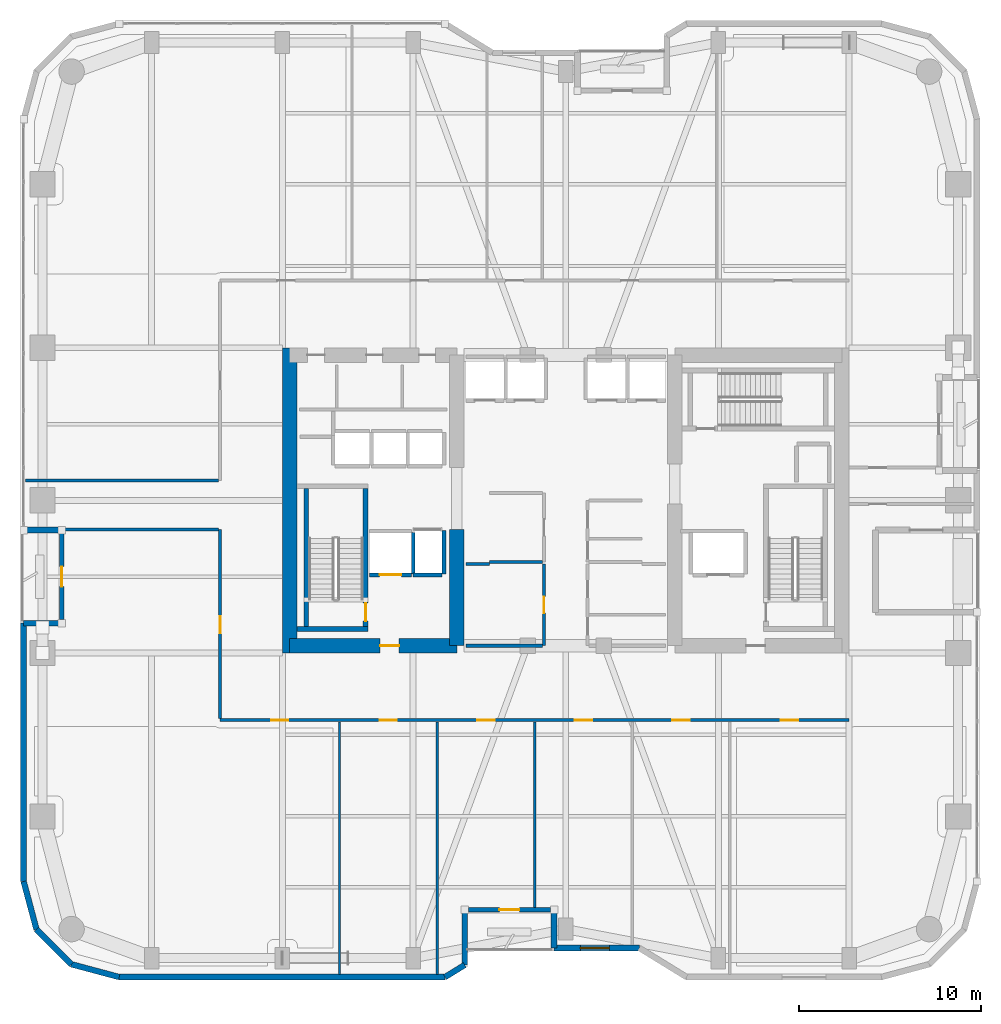
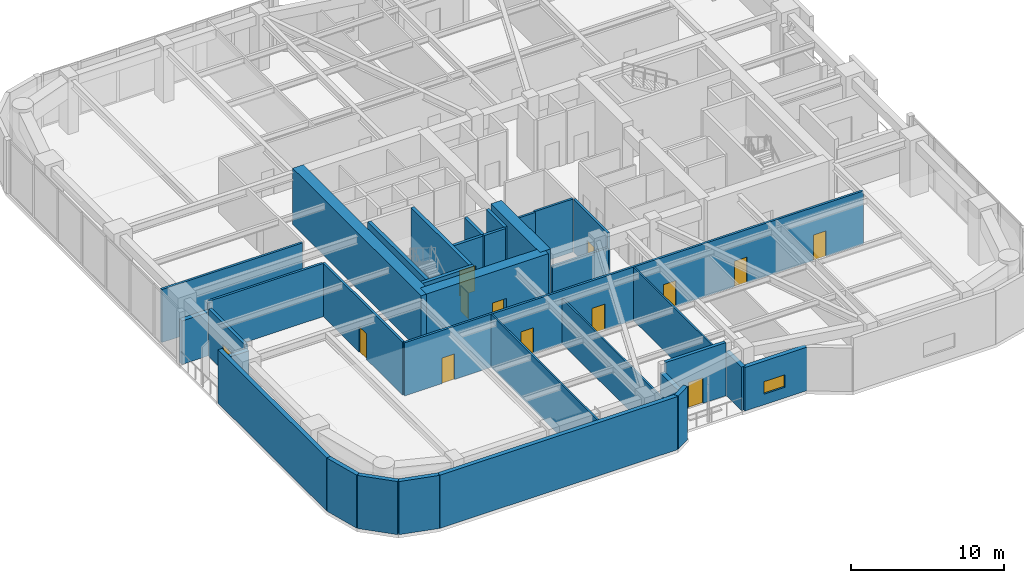
# One storey, part 14 of 20: 34 walls, 13 doors, 1 window, 14 openings.
"""IFC4 building model written with IfcOpenShell, lengths in metres."""

from ifc_helpers import new_model, si_unit, direction, frame, frame_2d, origin, place, context, subcontext, project, spatial, rectangle, extrude, material, layer, layer_set, type_object, element, fill, save


model = new_model("IFC4")

# Units and contexts
model_context = context("Model", 3, precision=1e-05, world=origin(), true_north=direction((0.0, 1.0)))
body_context = subcontext(model_context, "Body", "Model", "MODEL_VIEW")
ifc_project = project(units=[si_unit("LENGTHUNIT", "METRE"), si_unit("AREAUNIT", "SQUARE_METRE"), si_unit("VOLUMEUNIT", "CUBIC_METRE"), si_unit("PLANEANGLEUNIT", "RADIAN"), si_unit("MASSUNIT", "GRAM", prefix="KILO")], contexts=[model_context])

# Site, building, storey
site_placement = place(None, origin())
site = spatial("IfcSite", under=ifc_project, at=site_placement, CompositionType="ELEMENT")
building_placement = place(site_placement, origin())
building = spatial("IfcBuilding", under=site, at=building_placement, Name="Kiyonajd Concourse Tower", CompositionType="ELEMENT")
storey_placement = place(building_placement, frame((0.0, 0.0, 125.39990234375)))
storey = spatial("IfcBuildingStorey", under=building, at=storey_placement, Name="L32", CompositionType="ELEMENT", Elevation=125.39990234375)

# Walls
ifc_material_1 = material(Name="Concrete C70/85", Category="concrete")
ifc_layer_1 = layer(ifc_material_1, 0.800048828125)
ifc_layer_set_1 = layer_set([ifc_layer_1], Name="Concrete C70/85")
wall_type_1 = type_object("IfcWallType", Name="WL-CORE-800", PredefinedType="SHEAR", material=ifc_layer_set_1)
wall_1_placement = place(storey_placement, frame((32.800048828125, 27.60009765625, 0.0), z_axis=(0.0, 0.0, 1.0), x_axis=(0.0, 1.0, 0.0)))
element("IfcWall", 1, at=wall_1_placement, inside=storey, type_object=wall_type_1, Name="L32 West Core Outer Shear Wall", PredefinedType="SHEAR", context=body_context, shape_type="SweptSolid", body=[
    extrude(rectangle(XDim=16.7998046875, YDim=0.800048828125, at=frame_2d((8.39990234375, 0.0))), origin(), (0.0, 0.0, 1.0), 4.5),
])
wall_2_placement = place(storey_placement, frame((42.0, 28.0, 0.0), z_axis=(0.0, 0.0, 1.0), x_axis=(0.0, 1.0, 0.0)))
element("IfcWall", 2, at=wall_2_placement, inside=storey, type_object=wall_type_1, Name="L32 West Core Inner South Shear Wall", PredefinedType="SHEAR", context=body_context, shape_type="SweptSolid", body=[
    extrude(rectangle(XDim=6.39990234375, YDim=0.800048828125, at=frame_2d((3.199951171875, 0.0))), origin(), (0.0, 0.0, 1.0), 4.5),
])

# Wall, opening, door
wall_3_placement = place(storey_placement, frame((32.800048828125, 28.0, 0.0), z_axis=(0.0, 0.0, 1.0), x_axis=(1.0, 0.0, 0.0)))
wall_3 = element("IfcWall", 3, at=wall_3_placement, inside=storey, type_object=wall_type_1, Name="L32 West Core South Shear Wall", PredefinedType="SHEAR", context=body_context, shape_type="SweptSolid", body=[
    extrude(rectangle(XDim=9.199951171875, YDim=0.800048828125, at=frame_2d((4.60009765625, 0.0))), origin(), (0.0, 0.0, 1.0), 4.5),
])
opening_1_placement = place(wall_3_placement, frame((4.97509765625, 0.0, 0.0)))
opening_1 = element("IfcOpeningElement", 4, at=opening_1_placement, cuts=wall_3, Name="Opening DF5", PredefinedType="OPENING", context=body_context, shape_type="SweptSolid", body=[
    extrude(rectangle(XDim=1.050048828125, YDim=2.0400390625, at=frame_2d((0.52490234375, 1.02001953125))), frame((0.0, 0.409912109375, 0.0), z_axis=(0.0, -1.0, 0.0), x_axis=(1.0, 0.0, 0.0)), (0.0, 0.0, 1.0), 0.820068359375),
])
ifc_material_2 = material(Name="Brushed Stainless Steel Cab Assembly", Category="steel")
door_type_1 = type_object("IfcDoorType", Name="DR-FD45-1050", OperationType="NOTDEFINED", PredefinedType="DOOR", material=ifc_material_2)
door_1_placement = place(opening_1_placement, origin())
door_1 = element("IfcDoor", 5, at=door_1_placement, inside=storey, type_object=door_type_1, Name="L32 Firefighting Lift Lobby W Smoke Door", OperationType="SINGLE_SWING_LEFT", OverallHeight=2.0400390625, OverallWidth=1.050048828125, PredefinedType="DOOR", context=body_context, shape_type="SweptSolid", body=[
    extrude(rectangle(XDim=1.050048828125, YDim=2.0400390625, at=frame_2d((0.52490234375, 1.02001953125))), frame((0.0, 0.02490234375, 0.0), z_axis=(0.0, -1.0, 0.0), x_axis=(1.0, 0.0, 0.0)), (0.0, 0.0, 1.0), 0.050048828125),
])
fill(opening_1, door_1)

# Walls
ifc_material_3 = material(Name="Precast concrete C50/60", Category="concrete")
ifc_layer_2 = layer(ifc_material_3, 0.320068359375)
ifc_layer_set_2 = layer_set([ifc_layer_2], Name="Precast concrete C50/60")
wall_type_2 = type_object("IfcWallType", Name="WL-EXT-320", PredefinedType="SOLIDWALL", material=ifc_layer_set_2)
wall_4_placement = place(storey_placement, frame((18.159912109375, 15.02099609375, 0.0), z_axis=(0.0, 0.0, 1.0), x_axis=(0.0, 1.0, 0.0)))
element("IfcWall", 6, at=wall_4_placement, inside=storey, type_object=wall_type_2, Name="L32 Exterior Concrete Frame Wall 00", PredefinedType="SOLIDWALL", context=body_context, shape_type="SweptSolid", body=[
    extrude(rectangle(XDim=14.218994140625, YDim=0.320068359375, at=frame_2d((7.109375, 0.0))), origin(), (0.0, 0.0, 1.0), 4.239990234375),
])
for number, where, z_axis, x_axis, name in (
    (7, (18.159912109375, 29.239990234375, 0.0), (0.0, 0.0, 1.0), (1.0, 0.0, 0.0), "L32 Exterior Concrete Frame Wall 01"),
    (8, (20.260009765625, 34.360107421875, 0.0), (0.0, 0.0, 1.0), (-1.0, 0.0, 0.0), "L32 Exterior Concrete Frame Wall 03"),
):
    element("IfcWall", number, at=place(storey_placement, frame(where, z_axis=z_axis, x_axis=x_axis)), inside=storey, type_object=wall_type_2, Name=name, PredefinedType="SOLIDWALL", context=body_context, shape_type="SweptSolid", body=[
        extrude(rectangle(XDim=2.10009765625, YDim=0.320068359375, at=frame_2d((1.050048828125, 0.0))), origin(), (0.0, 0.0, 1.0), 3.47509765625),
    ])

# Wall, opening, window
wall_5_placement = place(storey_placement, frame((52.04541015625, 11.360107421875, 0.0), z_axis=(0.0, 0.0, 1.0), x_axis=(-1.0, 0.0, 0.0)))
wall_5 = element("IfcWall", 9, at=wall_5_placement, inside=storey, type_object=wall_type_2, Name="L32 Exterior Concrete Frame Wall 33", PredefinedType="SOLIDWALL", context=body_context, shape_type="SweptSolid", body=[
    extrude(rectangle(XDim=4.685302734375, YDim=0.320068359375, at=frame_2d((2.3427734375, 0.0))), origin(), (0.0, 0.0, 1.0), 3.47509765625),
])
opening_2_placement = place(wall_5_placement, frame((1.639892578125, 0.0, 0.85009765625)))
opening_2 = element("IfcOpeningElement", 10, at=opening_2_placement, cuts=wall_5, Name="Opening WN6", PredefinedType="OPENING", context=body_context, shape_type="SweptSolid", body=[
    extrude(rectangle(XDim=1.60009765625, YDim=1.0, at=frame_2d((0.800048828125, 0.5))), frame((0.0, 0.169921875, 0.0), z_axis=(0.0, -1.0, 0.0), x_axis=(1.0, 0.0, 0.0)), (0.0, 0.0, 1.0), 0.340087890625),
])
ifc_material_4 = material(Name="Double Low-E Insulated Glass", Category="glass")
window_type = type_object("IfcWindowType", Name="WN-VIS-1600x1000", PartitioningType="SINGLE_PANEL", PredefinedType="WINDOW", material=ifc_material_4)
window_placement = place(opening_2_placement, origin())
window = element("IfcWindow", 11, at=window_placement, inside=storey, type_object=window_type, Name="L32 Modular Facade Vision Window 33", OverallHeight=1.0, OverallWidth=1.60009765625, PartitioningType="SINGLE_PANEL", PredefinedType="WINDOW", context=body_context, shape_type="SweptSolid", body=[
    extrude(rectangle(XDim=1.60009765625, YDim=1.0, at=frame_2d((0.800048828125, 0.5))), frame((0.0, 0.030029296875, 0.0), z_axis=(0.0, -1.0, 0.0), x_axis=(1.0, 0.0, 0.0)), (0.0, 0.0, 1.0), 0.06005859375),
])
fill(opening_2, window)

# Walls
wall_6_placement = place(storey_placement, frame((47.360107421875, 11.360107421875, 0.0), z_axis=(0.0, 0.0, 1.0), x_axis=(0.0, 1.0, 0.0)))
element("IfcWall", 12, at=wall_6_placement, inside=storey, type_object=wall_type_2, Name="L32 Exterior Concrete Frame Wall 34", PredefinedType="SOLIDWALL", context=body_context, shape_type="SweptSolid", body=[
    extrude(rectangle(XDim=2.099853515625, YDim=0.320068359375, at=frame_2d((1.0498046875, 0.0))), origin(), (0.0, 0.0, 1.0), 3.47509765625),
])
wall_7_placement = place(storey_placement, frame((42.43994140625, 13.4599609375, 0.0), z_axis=(0.0, 0.0, 1.0), x_axis=(0.0, -1.0, 0.0)))
element("IfcWall", 13, at=wall_7_placement, inside=storey, type_object=wall_type_2, Name="L32 Exterior Concrete Frame Wall 36", PredefinedType="SOLIDWALL", context=body_context, shape_type="SweptSolid", body=[
    extrude(rectangle(XDim=3.032470703125, YDim=0.320068359375, at=frame_2d((1.51611328125, 0.0))), origin(), (0.0, 0.0, 1.0), 3.47509765625),
])
wall_8_placement = place(storey_placement, frame((42.43994140625, 10.427490234375, 0.0), z_axis=(0.0, 0.0, 1.0), x_axis=(-0.851776724646, -0.523904964045, 0.0)))
element("IfcWall", 14, at=wall_8_placement, inside=storey, type_object=wall_type_2, Name="L32 Exterior Concrete Frame Wall 37", PredefinedType="SOLIDWALL", context=body_context, shape_type="SweptSolid", body=[
    extrude(rectangle(XDim=1.274169921875, YDim=0.320068359375, at=frame_2d((0.63720703125, 0.0))), origin(), (0.0, 0.0, 1.0), 4.239990234375),
])
wall_9_placement = place(storey_placement, frame((41.354736328125, 9.760009765625, 0.0), z_axis=(0.0, 0.0, 1.0), x_axis=(-1.0, 0.0, 0.0)))
element("IfcWall", 15, at=wall_9_placement, inside=storey, type_object=wall_type_2, Name="L32 Exterior Concrete Frame Wall 38", PredefinedType="SOLIDWALL", context=body_context, shape_type="SweptSolid", body=[
    extrude(rectangle(XDim=17.93359375, YDim=0.320068359375, at=frame_2d((8.966796875, 0.0))), origin(), (0.0, 0.0, 1.0), 4.239990234375),
])
wall_10_placement = place(storey_placement, frame((23.421142578125, 9.760009765625, 0.0), z_axis=(0.0, 0.0, 1.0), x_axis=(-0.965964405026, 0.25867502435, 0.0)))
element("IfcWall", 16, at=wall_10_placement, inside=storey, type_object=wall_type_2, Name="L32 Exterior Concrete Frame Wall 39", PredefinedType="SOLIDWALL", context=body_context, shape_type="SweptSolid", body=[
    extrude(rectangle(XDim=2.7314453125, YDim=0.320068359375, at=frame_2d((1.36572265625, 0.0))), origin(), (0.0, 0.0, 1.0), 4.239990234375),
])
wall_11_placement = place(storey_placement, frame((20.78271484375, 10.466552734375, 0.0), z_axis=(0.0, 0.0, 1.0), x_axis=(-0.707106781187, 0.707106781187, 0.0)))
element("IfcWall", 17, at=wall_11_placement, inside=storey, type_object=wall_type_2, Name="L32 Exterior Concrete Frame Wall 40", PredefinedType="SOLIDWALL", context=body_context, shape_type="SweptSolid", body=[
    extrude(rectangle(XDim=2.7099609375, YDim=0.320068359375, at=frame_2d((1.35498046875, 0.0))), origin(), (0.0, 0.0, 1.0), 4.239990234375),
])
wall_12_placement = place(storey_placement, frame((18.866455078125, 12.3828125, 0.0), z_axis=(0.0, 0.0, 1.0), x_axis=(-0.25869736047, 0.965958423373, 0.0)))
element("IfcWall", 18, at=wall_12_placement, inside=storey, type_object=wall_type_2, Name="L32 Exterior Concrete Frame Wall 41", PredefinedType="SOLIDWALL", context=body_context, shape_type="SweptSolid", body=[
    extrude(rectangle(XDim=2.731201171875, YDim=0.320068359375, at=frame_2d((1.36572265625, 0.0))), origin(), (0.0, 0.0, 1.0), 4.239990234375),
])

# Wall, opening, door
ifc_layer_3 = layer(ifc_material_3, 0.239990234375)
ifc_layer_set_3 = layer_set([ifc_layer_3], Name="Precast concrete C50/60")
wall_type_3 = type_object("IfcWallType", Name="WL-LOG-240", PredefinedType="SOLIDWALL", material=ifc_layer_set_3)
wall_13_placement = place(storey_placement, frame((20.260009765625, 29.43505859375, 0.0), z_axis=(0.0, 0.0, 1.0), x_axis=(0.0, 1.0, 0.0)))
wall_13 = element("IfcWall", 19, at=wall_13_placement, inside=storey, type_object=wall_type_3, Name="L32 Recessed Loggia Thermal Wall LOG-W", PredefinedType="SOLIDWALL", context=body_context, shape_type="SweptSolid", body=[
    extrude(rectangle(XDim=4.72998046875, YDim=0.239990234375, at=frame_2d((2.364990234375, 0.0))), origin(), (0.0, 0.0, 1.0), 3.76220703125),
])
opening_3_placement = place(wall_13_placement, frame((1.81494140625, 0.0, 0.0)))
opening_3 = element("IfcOpeningElement", 20, at=opening_3_placement, cuts=wall_13, Name="Opening DL2", PredefinedType="OPENING", context=body_context, shape_type="SweptSolid", body=[
    extrude(rectangle(XDim=1.10009765625, YDim=2.0400390625, at=frame_2d((0.550048828125, 1.02001953125))), frame((0.0, 0.1298828125, 0.0), z_axis=(0.0, -1.0, 0.0), x_axis=(1.0, 0.0, 0.0)), (0.0, 0.0, 1.0), 0.260009765625),
])
ifc_material_5 = material(Name="Thermally Broken Anodised Aluminium", Category="aluminium")
door_type_2 = type_object("IfcDoorType", Name="DR-LOG-1100", OperationType="NOTDEFINED", PredefinedType="DOOR", material=ifc_material_5)
door_2_placement = place(opening_3_placement, origin())
door_2 = element("IfcDoor", 21, at=door_2_placement, inside=storey, type_object=door_type_2, Name="L32 Engawa Loggia Access Door LOG-W", OperationType="SINGLE_SWING_LEFT", OverallHeight=2.0400390625, OverallWidth=1.10009765625, PredefinedType="DOOR", context=body_context, shape_type="SweptSolid", body=[
    extrude(rectangle(XDim=1.10009765625, YDim=2.0400390625, at=frame_2d((0.550048828125, 1.02001953125))), frame((0.0, 0.02490234375, 0.0), z_axis=(0.0, -1.0, 0.0), x_axis=(1.0, 0.0, 0.0)), (0.0, 0.0, 1.0), 0.050048828125),
])
fill(opening_3, door_2)

wall_14_placement = place(storey_placement, frame((47.1650390625, 13.4599609375, 0.0), z_axis=(0.0, 0.0, 1.0), x_axis=(-1.0, 0.0, 0.0)))
wall_14 = element("IfcWall", 22, at=wall_14_placement, inside=storey, type_object=wall_type_3, Name="L32 Recessed Loggia Thermal Wall LOG-S", PredefinedType="SOLIDWALL", context=body_context, shape_type="SweptSolid", body=[
    extrude(rectangle(XDim=4.530029296875, YDim=0.239990234375, at=frame_2d((2.26513671875, 0.0))), origin(), (0.0, 0.0, 1.0), 4.239990234375),
])
opening_4_placement = place(wall_14_placement, frame((1.715087890625, 0.0, 0.0)))
opening_4 = element("IfcOpeningElement", 23, at=opening_4_placement, cuts=wall_14, Name="Opening DL2", PredefinedType="OPENING", context=body_context, shape_type="SweptSolid", body=[
    extrude(rectangle(XDim=1.10009765625, YDim=2.0400390625, at=frame_2d((0.550048828125, 1.02001953125))), frame((0.0, 0.1298828125, 0.0), z_axis=(0.0, -1.0, 0.0), x_axis=(1.0, 0.0, 0.0)), (0.0, 0.0, 1.0), 0.260009765625),
])
door_3_placement = place(opening_4_placement, origin())
door_3 = element("IfcDoor", 24, at=door_3_placement, inside=storey, type_object=door_type_2, Name="L32 Engawa Loggia Access Door LOG-S", OperationType="SINGLE_SWING_RIGHT", OverallHeight=2.0400390625, OverallWidth=1.10009765625, PredefinedType="DOOR", context=body_context, shape_type="SweptSolid", body=[
    extrude(rectangle(XDim=1.10009765625, YDim=2.0400390625, at=frame_2d((0.550048828125, 1.02001953125))), frame((0.0, 0.02490234375, 0.0), z_axis=(0.0, -1.0, 0.0), x_axis=(1.0, 0.0, 0.0)), (0.0, 0.0, 1.0), 0.050048828125),
])
fill(opening_4, door_3)

# Walls
ifc_material_6 = material(Name="Gypsum Board on Cold-Formed Steel Stud", Category="steel")
ifc_layer_4 = layer(ifc_material_6, 0.125)
ifc_layer_set_4 = layer_set([ifc_layer_4], Name="Gypsum Board on Cold-Formed Steel Stud")
wall_type_4 = type_object("IfcWallType", Name="WL-PART-125", PredefinedType="PARTITIONING", material=ifc_layer_set_4)
wall_15_placement = place(storey_placement, frame((35.550048828125, 9.9150390625, 0.0), z_axis=(0.0, 0.0, 1.0), x_axis=(0.0, 1.0, 0.0)))
element("IfcWall", 25, at=wall_15_placement, inside=storey, type_object=wall_type_4, Name="L32 Interior Partition Wall", PredefinedType="PARTITIONING", context=body_context, shape_type="SweptSolid", body=[
    extrude(rectangle(XDim=13.89794921875, YDim=0.125, at=frame_2d((6.948974609375, 0.0))), origin(), (0.0, 0.0, 1.0), 4.239990234375),
])
wall_16_placement = place(storey_placement, frame((40.919921875, 9.9150390625, 0.0), z_axis=(0.0, 0.0, 1.0), x_axis=(0.0, 1.0, 0.0)))
element("IfcWall", 26, at=wall_16_placement, inside=storey, type_object=wall_type_4, Name="L32 Interior Partition Wall", PredefinedType="PARTITIONING", context=body_context, shape_type="SweptSolid", body=[
    extrude(rectangle(XDim=13.89794921875, YDim=0.125, at=frame_2d((6.948974609375, 0.0))), origin(), (0.0, 0.0, 1.0), 3.60302734375),
])
wall_17_placement = place(storey_placement, frame((46.2900390625, 13.574951171875, 0.0), z_axis=(0.0, 0.0, 1.0), x_axis=(0.0, 1.0, 0.0)))
element("IfcWall", 27, at=wall_17_placement, inside=storey, type_object=wall_type_4, Name="L32 Interior Partition Wall", PredefinedType="PARTITIONING", context=body_context, shape_type="SweptSolid", body=[
    extrude(rectangle(XDim=10.238037109375, YDim=0.125, at=frame_2d((5.119140625, 0.0))), origin(), (0.0, 0.0, 1.0), 4.239990234375),
])

# Wall, opening, door
ifc_layer_5 = layer(ifc_material_6, 0.2099609375)
ifc_layer_set_5 = layer_set([ifc_layer_5], Name="Gypsum Board on Cold-Formed Steel Stud")
wall_type_5 = type_object("IfcWallType", Name="WL-SHAFT-210", PredefinedType="PARTITIONING", material=ifc_layer_set_5)
wall_18_placement = place(storey_placement, frame((37.199951171875, 31.89990234375, 0.0), z_axis=(0.0, 0.0, 1.0), x_axis=(1.0, 0.0, 0.0)))
wall_18 = element("IfcWall", 28, at=wall_18_placement, inside=storey, type_object=wall_type_5, Name="L32 Shaft Enclosure Wall", PredefinedType="PARTITIONING", context=body_context, shape_type="SweptSolid", body=[
    extrude(rectangle(XDim=2.300048828125, YDim=0.2099609375, at=frame_2d((1.14990234375, 0.0))), origin(), (0.0, 0.0, 1.0), 4.239990234375),
])
opening_5_placement = place(wall_18_placement, frame((0.550048828125, 0.0, 0.0)))
opening_5 = element("IfcOpeningElement", 29, at=opening_5_placement, cuts=wall_18, Name="Opening LD2", PredefinedType="OPENING", context=body_context, shape_type="SweptSolid", body=[
    extrude(rectangle(XDim=1.199951171875, YDim=2.0400390625, at=frame_2d((0.60009765625, 1.02001953125))), frame((0.0, 0.114990234375, 0.0), z_axis=(0.0, -1.0, 0.0), x_axis=(1.0, 0.0, 0.0)), (0.0, 0.0, 1.0), 0.22998046875),
])
door_type_3 = type_object("IfcDoorType", Name="DR-LD-1200", OperationType="DOUBLE_DOOR_SLIDING", PredefinedType="DOOR", material=ifc_material_2)
door_4_placement = place(opening_5_placement, origin())
door_4 = element("IfcDoor", 30, at=door_4_placement, inside=storey, type_object=door_type_3, Name="L32 Lift FFL1 Sliding Landing Door", OperationType="DOUBLE_DOOR_SLIDING", OverallHeight=2.0400390625, OverallWidth=1.199951171875, PredefinedType="DOOR", context=body_context, shape_type="SweptSolid", body=[
    extrude(rectangle(XDim=1.199951171875, YDim=2.0400390625, at=frame_2d((0.60009765625, 1.02001953125))), frame((0.0, 0.02490234375, 0.0), z_axis=(0.0, -1.0, 0.0), x_axis=(1.0, 0.0, 0.0)), (0.0, 0.0, 1.0), 0.050048828125),
])
fill(opening_5, door_4)

# Walls
wall_19_placement = place(storey_placement, frame((39.60009765625, 31.9599609375, 0.0), z_axis=(0.0, 0.0, 1.0), x_axis=(0.0, 1.0, 0.0)))
element("IfcWall", 31, at=wall_19_placement, inside=storey, type_object=wall_type_5, Name="L32 Shaft Enclosure Wall", PredefinedType="PARTITIONING", context=body_context, shape_type="SweptSolid", body=[
    extrude(rectangle(XDim=2.280029296875, YDim=0.2099609375, at=frame_2d((1.14013671875, 0.0))), origin(), (0.0, 0.0, 1.0), 4.239990234375),
])
wall_20_placement = place(storey_placement, frame((39.60009765625, 31.89990234375, 0.0), z_axis=(0.0, 0.0, 1.0), x_axis=(1.0, 0.0, 0.0)))
element("IfcWall", 32, at=wall_20_placement, inside=storey, type_object=wall_type_5, Name="L32 Shaft Enclosure Wall", PredefinedType="PARTITIONING", context=body_context, shape_type="SweptSolid", body=[
    extrude(rectangle(XDim=1.599853515625, YDim=0.2099609375, at=frame_2d((0.7998046875, 0.0))), origin(), (0.0, 0.0, 1.0), 4.239990234375),
])
wall_21_placement = place(storey_placement, frame((41.300048828125, 31.9599609375, 0.0), z_axis=(0.0, 0.0, 1.0), x_axis=(0.0, 1.0, 0.0)))
element("IfcWall", 33, at=wall_21_placement, inside=storey, type_object=wall_type_5, Name="L32 Shaft Enclosure Wall", PredefinedType="PARTITIONING", context=body_context, shape_type="SweptSolid", body=[
    extrude(rectangle(XDim=2.380126953125, YDim=0.2099609375, at=frame_2d((1.18994140625, 0.0))), origin(), (0.0, 0.0, 1.0), 4.239990234375),
])
ifc_layer_6 = layer(ifc_material_6, 0.169921875)
ifc_layer_set_6 = layer_set([ifc_layer_6], Name="Gypsum Board on Cold-Formed Steel Stud")
wall_type_6 = type_object("IfcWallType", Name="WL-SMK-170", PredefinedType="PARTITIONING", material=ifc_layer_set_6)
wall_22_placement = place(storey_placement, frame((43.800048828125, 32.60009765625, 0.0), z_axis=(0.0, 0.0, 1.0), x_axis=(1.0, 0.0, 0.0)))
element("IfcWall", 34, at=wall_22_placement, inside=storey, type_object=wall_type_6, Name="L32 Interior Partition Wall", PredefinedType="PARTITIONING", context=body_context, shape_type="SweptSolid", body=[
    extrude(rectangle(XDim=2.912841796875, YDim=0.169921875, at=frame_2d((1.45654296875, 0.0))), origin(), (0.0, 0.0, 1.0), 4.239990234375),
])

# Wall, opening, door
wall_23_placement = place(storey_placement, frame((46.800048828125, 28.0, 0.0), z_axis=(0.0, 0.0, 1.0), x_axis=(0.0, 1.0, 0.0)))
wall_23 = element("IfcWall", 35, at=wall_23_placement, inside=storey, type_object=wall_type_6, Name="L32 Interior Partition Wall", PredefinedType="PARTITIONING", context=body_context, shape_type="SweptSolid", body=[
    extrude(rectangle(XDim=4.5, YDim=0.169921875, at=frame_2d((2.25, 0.0))), origin(), (0.0, 0.0, 1.0), 4.239990234375),
])
opening_6_placement = place(wall_23_placement, frame((1.800048828125, 0.0, 0.0)))
opening_6 = element("IfcOpeningElement", 36, at=opening_6_placement, cuts=wall_23, Name="Opening DI2", PredefinedType="OPENING", context=body_context, shape_type="SweptSolid", body=[
    extrude(rectangle(XDim=0.89990234375, YDim=2.02001953125, at=frame_2d((0.449951171875, 1.010009765625))), frame((0.0, 0.094970703125, 0.0), z_axis=(0.0, -1.0, 0.0), x_axis=(1.0, 0.0, 0.0)), (0.0, 0.0, 1.0), 0.18994140625),
])
ifc_material_7 = material(Name="Natural Oak Acoustic Timber Veneer", Category="wood")
door_type_4 = type_object("IfcDoorType", Name="DR-INT-900", OperationType="NOTDEFINED", PredefinedType="DOOR", material=ifc_material_7)
door_5_placement = place(opening_6_placement, origin())
door_5 = element("IfcDoor", 37, at=door_5_placement, inside=storey, type_object=door_type_4, Name="L32 Interior Door", OperationType="SINGLE_SWING_RIGHT", OverallHeight=2.02001953125, OverallWidth=0.89990234375, PredefinedType="DOOR", context=body_context, shape_type="SweptSolid", body=[
    extrude(rectangle(XDim=0.89990234375, YDim=2.02001953125, at=frame_2d((0.449951171875, 1.010009765625))), frame((0.0, 0.02490234375, 0.0), z_axis=(0.0, -1.0, 0.0), x_axis=(1.0, 0.0, 0.0)), (0.0, 0.0, 1.0), 0.050048828125),
])
fill(opening_6, door_5)

# Walls
wall_24_placement = place(storey_placement, frame((42.5, 28.0, 0.0), z_axis=(0.0, 0.0, 1.0), x_axis=(1.0, 0.0, 0.0)))
element("IfcWall", 38, at=wall_24_placement, inside=storey, type_object=wall_type_6, Name="L32 Interior Partition Wall", PredefinedType="PARTITIONING", context=body_context, shape_type="SweptSolid", body=[
    extrude(rectangle(XDim=4.212890625, YDim=0.169921875, at=frame_2d((2.1064453125, 0.0))), origin(), (0.0, 0.0, 1.0), 3.125),
])
wall_25_placement = place(storey_placement, frame((42.5, 32.5, 0.0), z_axis=(0.0, 0.0, 1.0), x_axis=(1.0, 0.0, 0.0)))
element("IfcWall", 39, at=wall_25_placement, inside=storey, type_object=wall_type_6, Name="L32 Interior Partition Wall", PredefinedType="PARTITIONING", context=body_context, shape_type="SweptSolid", body=[
    extrude(rectangle(XDim=1.300048828125, YDim=0.169921875, at=frame_2d((0.64990234375, 0.0))), origin(), (0.0, 0.0, 1.0), 4.239990234375),
])

# Wall, openings, doors
wall_26_placement = place(storey_placement, frame((28.97509765625, 23.89990234375, 0.0), z_axis=(0.0, 0.0, 1.0), x_axis=(1.0, 0.0, 0.0)))
wall_26 = element("IfcWall", 40, at=wall_26_placement, inside=storey, type_object=wall_type_6, Name="L32 Interior Partition Wall", PredefinedType="PARTITIONING", context=body_context, shape_type="SweptSolid", body=[
    extrude(rectangle(XDim=34.625, YDim=0.169921875, at=frame_2d((17.3125, 0.0))), origin(), (0.0, 0.0, 1.0), 4.239990234375),
])
opening_7_placement = place(wall_26_placement, frame((2.81298828125, 0.0, 0.0)))
opening_7 = element("IfcOpeningElement", 41, at=opening_7_placement, cuts=wall_26, Name="Opening DI1", PredefinedType="OPENING", context=body_context, shape_type="SweptSolid", body=[
    extrude(rectangle(XDim=0.949951171875, YDim=2.0400390625, at=frame_2d((0.47509765625, 1.02001953125))), frame((0.0, 0.094970703125, 0.0), z_axis=(0.0, -1.0, 0.0), x_axis=(1.0, 0.0, 0.0)), (0.0, 0.0, 1.0), 0.18994140625),
])
opening_8_placement = place(wall_26_placement, frame((8.784912109375, 0.0, 0.0)))
opening_8 = element("IfcOpeningElement", 42, at=opening_8_placement, cuts=wall_26, Name="Opening DI1", PredefinedType="OPENING", context=body_context, shape_type="SweptSolid", body=[
    extrude(rectangle(XDim=0.949951171875, YDim=2.0400390625, at=frame_2d((0.47509765625, 1.02001953125))), frame((0.0, 0.094970703125, 0.0), z_axis=(0.0, -1.0, 0.0), x_axis=(1.0, 0.0, 0.0)), (0.0, 0.0, 1.0), 0.18994140625),
])
opening_9_placement = place(wall_26_placement, frame((14.155029296875, 0.0, 0.0)))
opening_9 = element("IfcOpeningElement", 43, at=opening_9_placement, cuts=wall_26, Name="Opening DI1", PredefinedType="OPENING", context=body_context, shape_type="SweptSolid", body=[
    extrude(rectangle(XDim=0.949951171875, YDim=2.0400390625, at=frame_2d((0.47509765625, 1.02001953125))), frame((0.0, 0.094970703125, 0.0), z_axis=(0.0, -1.0, 0.0), x_axis=(1.0, 0.0, 0.0)), (0.0, 0.0, 1.0), 0.18994140625),
])
opening_10_placement = place(wall_26_placement, frame((19.52490234375, 0.0, 0.0)))
opening_10 = element("IfcOpeningElement", 44, at=opening_10_placement, cuts=wall_26, Name="Opening DI1", PredefinedType="OPENING", context=body_context, shape_type="SweptSolid", body=[
    extrude(rectangle(XDim=0.949951171875, YDim=2.0400390625, at=frame_2d((0.47509765625, 1.02001953125))), frame((0.0, 0.094970703125, 0.0), z_axis=(0.0, -1.0, 0.0), x_axis=(1.0, 0.0, 0.0)), (0.0, 0.0, 1.0), 0.18994140625),
])
opening_11_placement = place(wall_26_placement, frame((24.89501953125, 0.0, 0.0)))
opening_11 = element("IfcOpeningElement", 45, at=opening_11_placement, cuts=wall_26, Name="Opening DI1", PredefinedType="OPENING", context=body_context, shape_type="SweptSolid", body=[
    extrude(rectangle(XDim=0.949951171875, YDim=2.0400390625, at=frame_2d((0.47509765625, 1.02001953125))), frame((0.0, 0.094970703125, 0.0), z_axis=(0.0, -1.0, 0.0), x_axis=(1.0, 0.0, 0.0)), (0.0, 0.0, 1.0), 0.18994140625),
])
opening_12_placement = place(wall_26_placement, frame((30.864990234375, 0.0, 0.0)))
opening_12 = element("IfcOpeningElement", 46, at=opening_12_placement, cuts=wall_26, Name="Opening DI1", PredefinedType="OPENING", context=body_context, shape_type="SweptSolid", body=[
    extrude(rectangle(XDim=0.949951171875, YDim=2.0400390625, at=frame_2d((0.47509765625, 1.02001953125))), frame((0.0, 0.094970703125, 0.0), z_axis=(0.0, -1.0, 0.0), x_axis=(1.0, 0.0, 0.0)), (0.0, 0.0, 1.0), 0.18994140625),
])
door_type_5 = type_object("IfcDoorType", Name="DR-INT-950", OperationType="NOTDEFINED", PredefinedType="DOOR", material=ifc_material_7)
door_6_placement = place(opening_7_placement, origin())
door_6 = element("IfcDoor", 47, at=door_6_placement, inside=storey, type_object=door_type_5, Name="L32 Interior Door", OperationType="SINGLE_SWING_LEFT", OverallHeight=2.0400390625, OverallWidth=0.949951171875, PredefinedType="DOOR", context=body_context, shape_type="SweptSolid", body=[
    extrude(rectangle(XDim=0.949951171875, YDim=2.0400390625, at=frame_2d((0.47509765625, 1.02001953125))), frame((0.0, 0.02490234375, 0.0), z_axis=(0.0, -1.0, 0.0), x_axis=(1.0, 0.0, 0.0)), (0.0, 0.0, 1.0), 0.050048828125),
])
fill(opening_7, door_6)
door_7_placement = place(opening_8_placement, origin())
door_7 = element("IfcDoor", 48, at=door_7_placement, inside=storey, type_object=door_type_5, Name="L32 Interior Door", OperationType="SINGLE_SWING_RIGHT", OverallHeight=2.0400390625, OverallWidth=0.949951171875, PredefinedType="DOOR", context=body_context, shape_type="SweptSolid", body=[
    extrude(rectangle(XDim=0.949951171875, YDim=2.0400390625, at=frame_2d((0.47509765625, 1.02001953125))), frame((0.0, 0.02490234375, 0.0), z_axis=(0.0, -1.0, 0.0), x_axis=(1.0, 0.0, 0.0)), (0.0, 0.0, 1.0), 0.050048828125),
])
fill(opening_8, door_7)
door_8_placement = place(opening_9_placement, origin())
door_8 = element("IfcDoor", 49, at=door_8_placement, inside=storey, type_object=door_type_5, Name="L32 Interior Door", OperationType="SINGLE_SWING_LEFT", OverallHeight=2.0400390625, OverallWidth=0.949951171875, PredefinedType="DOOR", context=body_context, shape_type="SweptSolid", body=[
    extrude(rectangle(XDim=0.949951171875, YDim=2.0400390625, at=frame_2d((0.47509765625, 1.02001953125))), frame((0.0, 0.02490234375, 0.0), z_axis=(0.0, -1.0, 0.0), x_axis=(1.0, 0.0, 0.0)), (0.0, 0.0, 1.0), 0.050048828125),
])
fill(opening_9, door_8)
door_9_placement = place(opening_10_placement, origin())
door_9 = element("IfcDoor", 50, at=door_9_placement, inside=storey, type_object=door_type_5, Name="L32 Interior Door", OperationType="SINGLE_SWING_RIGHT", OverallHeight=2.0400390625, OverallWidth=0.949951171875, PredefinedType="DOOR", context=body_context, shape_type="SweptSolid", body=[
    extrude(rectangle(XDim=0.949951171875, YDim=2.0400390625, at=frame_2d((0.47509765625, 1.02001953125))), frame((0.0, 0.02490234375, 0.0), z_axis=(0.0, -1.0, 0.0), x_axis=(1.0, 0.0, 0.0)), (0.0, 0.0, 1.0), 0.050048828125),
])
fill(opening_10, door_9)
door_10_placement = place(opening_11_placement, origin())
door_10 = element("IfcDoor", 51, at=door_10_placement, inside=storey, type_object=door_type_5, Name="L32 Interior Door", OperationType="SINGLE_SWING_LEFT", OverallHeight=2.0400390625, OverallWidth=0.949951171875, PredefinedType="DOOR", context=body_context, shape_type="SweptSolid", body=[
    extrude(rectangle(XDim=0.949951171875, YDim=2.0400390625, at=frame_2d((0.47509765625, 1.02001953125))), frame((0.0, 0.02490234375, 0.0), z_axis=(0.0, -1.0, 0.0), x_axis=(1.0, 0.0, 0.0)), (0.0, 0.0, 1.0), 0.050048828125),
])
fill(opening_11, door_10)
door_11_placement = place(opening_12_placement, origin())
door_11 = element("IfcDoor", 52, at=door_11_placement, inside=storey, type_object=door_type_5, Name="L32 Interior Door", OperationType="SINGLE_SWING_RIGHT", OverallHeight=2.0400390625, OverallWidth=0.949951171875, PredefinedType="DOOR", context=body_context, shape_type="SweptSolid", body=[
    extrude(rectangle(XDim=0.949951171875, YDim=2.0400390625, at=frame_2d((0.47509765625, 1.02001953125))), frame((0.0, 0.02490234375, 0.0), z_axis=(0.0, -1.0, 0.0), x_axis=(1.0, 0.0, 0.0)), (0.0, 0.0, 1.0), 0.050048828125),
])
fill(opening_12, door_11)

# Wall, opening, door
wall_27_placement = place(storey_placement, frame((28.97509765625, 23.987060546875, 0.0), z_axis=(0.0, 0.0, 1.0), x_axis=(0.0, 1.0, 0.0)))
wall_27 = element("IfcWall", 53, at=wall_27_placement, inside=storey, type_object=wall_type_6, Name="L32 Interior Partition Wall", PredefinedType="PARTITIONING", context=body_context, shape_type="SweptSolid", body=[
    extrude(rectangle(XDim=10.412841796875, YDim=0.169921875, at=frame_2d((5.20654296875, 0.0))), origin(), (0.0, 0.0, 1.0), 4.239990234375),
])
opening_13_placement = place(wall_27_placement, frame((4.68798828125, 0.0, 0.0)))
opening_13 = element("IfcOpeningElement", 54, at=opening_13_placement, cuts=wall_27, Name="Opening DI1", PredefinedType="OPENING", context=body_context, shape_type="SweptSolid", body=[
    extrude(rectangle(XDim=0.949951171875, YDim=2.0400390625, at=frame_2d((0.47509765625, 1.02001953125))), frame((0.0, 0.094970703125, 0.0), z_axis=(0.0, -1.0, 0.0), x_axis=(1.0, 0.0, 0.0)), (0.0, 0.0, 1.0), 0.18994140625),
])
door_12_placement = place(opening_13_placement, origin())
door_12 = element("IfcDoor", 55, at=door_12_placement, inside=storey, type_object=door_type_5, Name="L32 Interior Door", OperationType="SINGLE_SWING_RIGHT", OverallHeight=2.0400390625, OverallWidth=0.949951171875, PredefinedType="DOOR", context=body_context, shape_type="SweptSolid", body=[
    extrude(rectangle(XDim=0.949951171875, YDim=2.0400390625, at=frame_2d((0.47509765625, 1.02001953125))), frame((0.0, 0.02490234375, 0.0), z_axis=(0.0, -1.0, 0.0), x_axis=(1.0, 0.0, 0.0)), (0.0, 0.0, 1.0), 0.050048828125),
])
fill(opening_13, door_12)

# Walls
wall_28_placement = place(storey_placement, frame((20.260009765625, 34.39990234375, 0.0), z_axis=(0.0, 0.0, 1.0), x_axis=(1.0, 0.0, 0.0)))
element("IfcWall", 56, at=wall_28_placement, inside=storey, type_object=wall_type_6, Name="L32 Interior Partition Wall", PredefinedType="PARTITIONING", context=body_context, shape_type="SweptSolid", body=[
    extrude(rectangle(XDim=8.6279296875, YDim=0.169921875, at=frame_2d((4.31396484375, 0.0))), origin(), (0.0, 0.0, 1.0), 4.239990234375),
])
wall_29_placement = place(storey_placement, frame((18.264892578125, 37.10009765625, 0.0), z_axis=(0.0, 0.0, 1.0), x_axis=(1.0, 0.0, 0.0)))
element("IfcWall", 57, at=wall_29_placement, inside=storey, type_object=wall_type_6, Name="L32 Interior Partition Wall", PredefinedType="PARTITIONING", context=body_context, shape_type="SweptSolid", body=[
    extrude(rectangle(XDim=10.623046875, YDim=0.169921875, at=frame_2d((5.3115234375, 0.0))), origin(), (0.0, 0.0, 1.0), 4.239990234375),
])
ifc_material_8 = material(Name="Concrete C50/60", Category="concrete")
ifc_layer_7 = layer(ifc_material_8, 0.260009765625)
ifc_layer_set_7 = layer_set([ifc_layer_7], Name="Concrete C50/60")
wall_type_7 = type_object("IfcWallType", Name="WL-STAIR-260", PredefinedType="SHEAR", material=ifc_layer_set_7)
wall_30_placement = place(storey_placement, frame((33.199951171875, 28.919921875, 0.0), z_axis=(0.0, 0.0, 1.0), x_axis=(1.0, 0.0, 0.0)))
element("IfcWall", 58, at=wall_30_placement, inside=storey, type_object=wall_type_7, Name="L32 Stair ST1 Structural South Wall", PredefinedType="SHEAR", context=body_context, shape_type="SweptSolid", body=[
    extrude(rectangle(XDim=3.91015625, YDim=0.260009765625, at=frame_2d((1.955078125, 0.0))), origin(), (0.0, 0.0, 1.0), 4.5),
])
wall_31_placement = place(storey_placement, frame((33.719970703125, 29.050048828125, 0.0), z_axis=(0.0, 0.0, 1.0), x_axis=(0.0, 1.0, 0.0)))
element("IfcWall", 59, at=wall_31_placement, inside=storey, type_object=wall_type_7, Name="L32 Stair ST1 Structural West Wall", PredefinedType="SHEAR", context=body_context, shape_type="SweptSolid", body=[
    extrude(rectangle(XDim=7.599853515625, YDim=0.260009765625, at=frame_2d((3.7998046875, 0.0))), origin(), (0.0, 0.0, 1.0), 4.5),
])

# Wall, opening, door
wall_32_placement = place(storey_placement, frame((36.97998046875, 29.050048828125, 0.0), z_axis=(0.0, 0.0, 1.0), x_axis=(0.0, 1.0, 0.0)))
wall_32 = element("IfcWall", 60, at=wall_32_placement, inside=storey, type_object=wall_type_7, Name="L32 Stair ST1 Structural East Wall", PredefinedType="SHEAR", context=body_context, shape_type="SweptSolid", body=[
    extrude(rectangle(XDim=7.599853515625, YDim=0.260009765625, at=frame_2d((3.7998046875, 0.0))), origin(), (0.0, 0.0, 1.0), 4.5),
])
opening_14_placement = place(wall_32_placement, frame((0.300048828125, 0.0, 0.0)))
opening_14 = element("IfcOpeningElement", 61, at=opening_14_placement, cuts=wall_32, Name="Opening DF1", PredefinedType="OPENING", context=body_context, shape_type="SweptSolid", body=[
    extrude(rectangle(XDim=1.0, YDim=2.0400390625, at=frame_2d((0.5, 1.02001953125))), frame((0.0, 0.139892578125, 0.0), z_axis=(0.0, -1.0, 0.0), x_axis=(1.0, 0.0, 0.0)), (0.0, 0.0, 1.0), 0.280029296875),
])
door_type_6 = type_object("IfcDoorType", Name="DR-FD90-1000", OperationType="NOTDEFINED", PredefinedType="DOOR", material=ifc_material_2)
door_13_placement = place(opening_14_placement, origin())
door_13 = element("IfcDoor", 62, at=door_13_placement, inside=storey, type_object=door_type_6, Name="L32 Stair ST1 FSAE Door", OperationType="SINGLE_SWING_LEFT", OverallHeight=2.0400390625, OverallWidth=1.0, PredefinedType="DOOR", context=body_context, shape_type="SweptSolid", body=[
    extrude(rectangle(XDim=1.0, YDim=2.0400390625, at=frame_2d((0.5, 1.02001953125))), frame((0.0, 0.02490234375, 0.0), z_axis=(0.0, -1.0, 0.0), x_axis=(1.0, 0.0, 0.0)), (0.0, 0.0, 1.0), 0.050048828125),
])
fill(opening_14, door_13)

save(model, "model.ifc")
